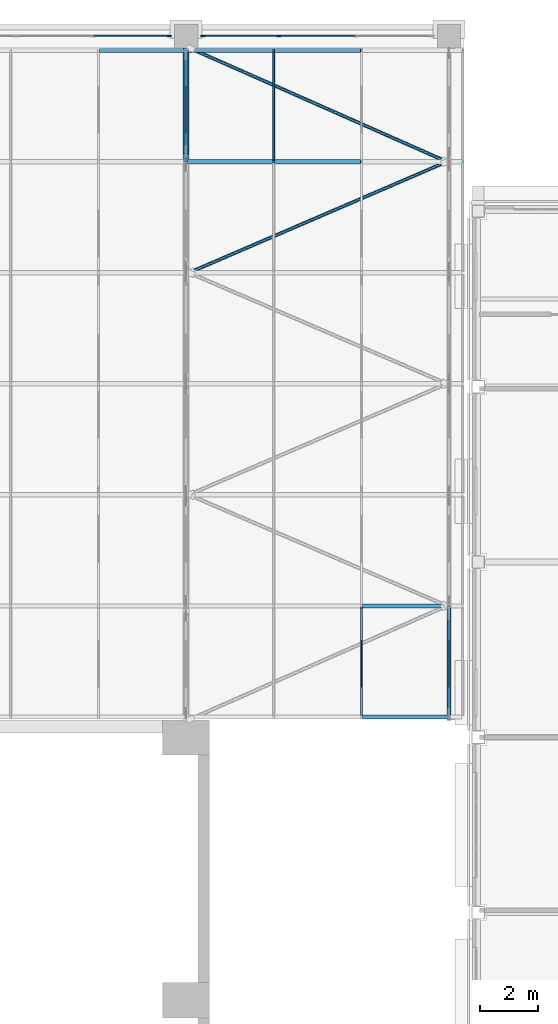
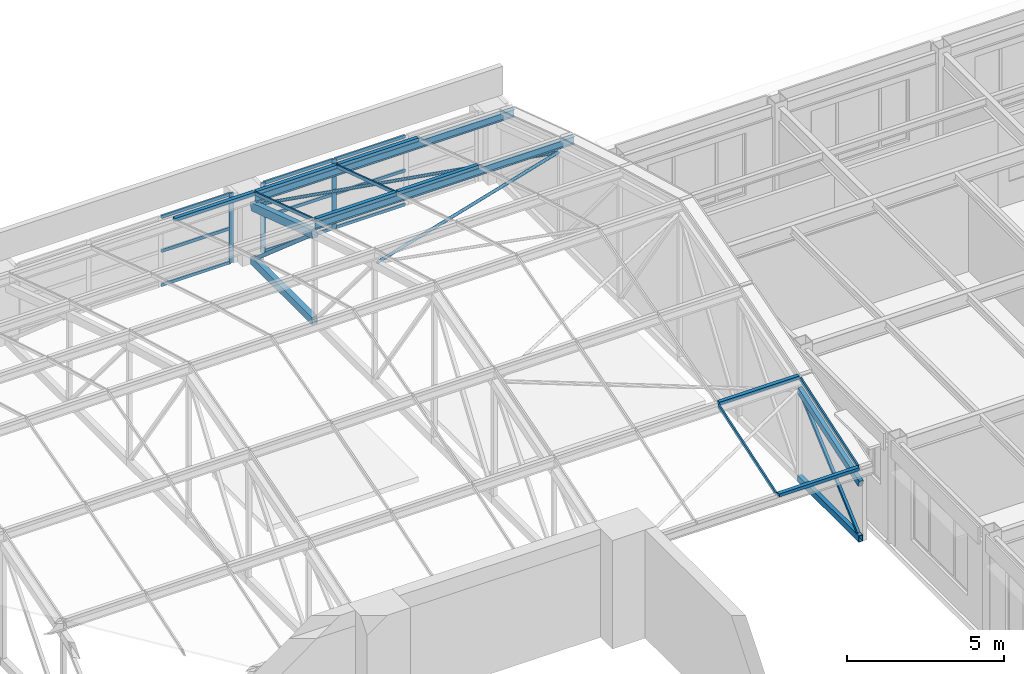
# One storey, part 39 of 82: 33 members, 3 elements without a shape of their own.
"""IFC4 building model written with IfcOpenShell, lengths in metres."""

from ifc_helpers import new_model, si_unit, direction, frame, origin, origin_2d, place, context, subcontext, project, spatial, rectangle, hollow_rectangle, hollow_circle, i_section, extrude, material, material_profile, profile_set, type_object, element, aggregate, save


model = new_model("IFC4")

# Units and contexts
model_context = context("Model", 3, precision=1e-05, world=origin(), true_north=direction((0.0, 1.0)))
body_context = subcontext(model_context, "Body", "Model", "MODEL_VIEW")
ifc_project = project(units=[si_unit("LENGTHUNIT", "METRE"), si_unit("AREAUNIT", "SQUARE_METRE"), si_unit("VOLUMEUNIT", "CUBIC_METRE"), si_unit("PLANEANGLEUNIT", "RADIAN"), si_unit("MASSUNIT", "GRAM", prefix="KILO")], contexts=[model_context])

# Site, building, storey
site_placement = place(None, origin())
site = spatial("IfcSite", under=ifc_project, at=site_placement, CompositionType="ELEMENT")
building_placement = place(site_placement, origin())
building = spatial("IfcBuilding", under=site, at=building_placement, Name="Aravalli Gate Trade Fair Centre", CompositionType="ELEMENT")
storey_placement = place(building_placement, frame((0.0, 0.0, 19.199951171875)))
storey = spatial("IfcBuildingStorey", under=building, at=storey_placement, Name="L04", CompositionType="ELEMENT", Elevation=19.199951171875)

# Members
ifc_material_1 = material(Name="Steel E350", Category="steel")
ifc_material_profile_1 = material_profile(ifc_material_1, hollow_circle(Radius=0.05712890625, WallThickness=0.00439453125, at=origin_2d()), Name="CHS 114.3x4.5")
ifc_profile_set_1 = profile_set([ifc_material_profile_1], Name="Steel E350")
member_type_1 = type_object("IfcMemberType", Name="CHS 114.3x4.5 roof plan brace", PredefinedType="BRACE", material=ifc_profile_set_1)
member_1_placement = place(storey_placement, frame((150.10009765625, 124.89990234375, 4.67333984375), z_axis=(0.912249841445, 0.392817350875, -0.11616693004), x_axis=(-0.39549496899, 0.91846814289, 0.0)))
element("IfcMember", 1, at=member_1_placement, inside=storey, type_object=member_type_1, Name="Vault plan brace 18.5", PredefinedType="BRACE", context=body_context, shape_type="SweptSolid", body=[
    extrude(hollow_circle(Radius=0.05712890625, WallThickness=0.00439453125, at=origin_2d()), origin(), (0.0, 0.0, 1.0), 9.673828125),
])
member_2_placement = place(storey_placement, frame((150.10009765625, 132.60009765625, 2.2392578125), z_axis=(0.90635347144, -0.400558738104, 0.134447321046), x_axis=(0.404228835804, 0.914657885936, 0.0)))
element("IfcMember", 2, at=member_2_placement, inside=storey, type_object=member_type_1, Name="Vault plan brace 18.6", PredefinedType="BRACE", context=body_context, shape_type="SweptSolid", body=[
    extrude(hollow_circle(Radius=0.05712890625, WallThickness=0.00439453125, at=origin_2d()), origin(), (0.0, 0.0, 1.0), 9.73681640625),
])

# Curtain wall, member
ifc_material_2 = material(Name="Aluminium and glass", Category="aluminium")
curtain_wall_type_1 = type_object("IfcCurtainWallType", Name="Curtain wall 3000 module", PredefinedType="NOTDEFINED", material=ifc_material_2)
curtain_wall_1_placement = place(storey_placement, origin())
curtain_wall_1 = element("IfcCurtainWall", 3, at=curtain_wall_1_placement, inside=storey, type_object=curtain_wall_type_1, Name="Curtain wall north bay 17 L04", PredefinedType="NOTDEFINED")
ifc_material_3 = material(Name="Aluminium", Category="aluminium")
ifc_material_profile_2 = material_profile(ifc_material_3, rectangle(XDim=0.06005859375, YDim=0.159912109375, at=origin_2d()), Name="Concourse curtain wall mullion 60 x 160")
ifc_profile_set_2 = profile_set([ifc_material_profile_2], Name="Aluminium")
member_type_2 = type_object("IfcMemberType", Name="Concourse curtain wall mullion 60 x 160", PredefinedType="MULLION", material=ifc_profile_set_2)
member_3_placement = place(storey_placement, frame((149.419921875, 133.0, 0.0), z_axis=(0.0, 0.0, 1.0), x_axis=(0.0, 1.0, 0.0)))
member_3 = element("IfcMember", 4, at=member_3_placement, type_object=member_type_2, Name="CW1 mullion 4", PredefinedType="MULLION", context=body_context, shape_type="SweptSolid", body=[
    extrude(rectangle(XDim=0.06005859375, YDim=0.159912109375, at=origin_2d()), origin(), (0.0, 0.0, 1.0), 2.699951171875),
])

# Curtain wall, members
curtain_wall_2_placement = place(storey_placement, origin())
curtain_wall_2 = element("IfcCurtainWall", 5, at=curtain_wall_2_placement, inside=storey, type_object=curtain_wall_type_1, Name="Curtain wall north bay 18 L04", PredefinedType="NOTDEFINED")
member_4_placement = place(storey_placement, frame((150.580078125, 133.0, 0.0), z_axis=(0.0, 0.0, 1.0), x_axis=(0.0, 1.0, 0.0)))
member_4 = element("IfcMember", 6, at=member_4_placement, type_object=member_type_2, Name="CW1 mullion 1", PredefinedType="MULLION", context=body_context, shape_type="SweptSolid", body=[
    extrude(rectangle(XDim=0.06005859375, YDim=0.159912109375, at=origin_2d()), origin(), (0.0, 0.0, 1.0), 2.699951171875),
])
member_5_placement = place(storey_placement, frame((153.183349609375, 133.0, 0.0), z_axis=(0.0, 0.0, 1.0), x_axis=(0.0, 1.0, 0.0)))
member_5 = element("IfcMember", 7, at=member_5_placement, type_object=member_type_2, Name="CW1 mullion 2", PredefinedType="MULLION", context=body_context, shape_type="SweptSolid", body=[
    extrude(rectangle(XDim=0.06005859375, YDim=0.159912109375, at=origin_2d()), origin(), (0.0, 0.0, 1.0), 2.699951171875),
])

# Member
ifc_material_profile_3 = material_profile(ifc_material_3, rectangle(XDim=0.06005859375, YDim=0.1201171875, at=origin_2d()), Name="Concourse curtain wall transom 60 x 120")
ifc_profile_set_3 = profile_set([ifc_material_profile_3], Name="Aluminium")
member_type_3 = type_object("IfcMemberType", Name="Concourse curtain wall transom 60 x 120", PredefinedType="USERDEFINED", material=ifc_profile_set_3)
member_6_placement = place(storey_placement, frame((146.8466796875, 133.0, 0.030029296875), z_axis=(1.0, 0.0, 0.0), x_axis=(0.0, 1.0, 0.0)))
member_6 = element("IfcMember", 8, at=member_6_placement, type_object=member_type_3, Name="CW1 transom 3.1", ObjectType="TRANSOM", PredefinedType="USERDEFINED", context=body_context, shape_type="SweptSolid", body=[
    extrude(rectangle(XDim=0.06005859375, YDim=0.1201171875, at=origin_2d()), origin(), (0.0, 0.0, 1.0), 2.543212890625),
])

member_7_placement = place(storey_placement, frame((146.8466796875, 133.0, 1.35009765625), z_axis=(1.0, 0.0, 0.0), x_axis=(0.0, 1.0, 0.0)))
member_7 = element("IfcMember", 9, at=member_7_placement, type_object=member_type_3, Name="CW1 transom 3.2", ObjectType="TRANSOM", PredefinedType="USERDEFINED", context=body_context, shape_type="SweptSolid", body=[
    extrude(rectangle(XDim=0.06005859375, YDim=0.1201171875, at=origin_2d()), origin(), (0.0, 0.0, 1.0), 2.543212890625),
])

member_8_placement = place(storey_placement, frame((146.8466796875, 133.0, 2.670166015625), z_axis=(1.0, 0.0, 0.0), x_axis=(0.0, 1.0, 0.0)))
member_8 = element("IfcMember", 10, at=member_8_placement, type_object=member_type_3, Name="CW1 transom 3.3", ObjectType="TRANSOM", PredefinedType="USERDEFINED", context=body_context, shape_type="SweptSolid", body=[
    extrude(rectangle(XDim=0.06005859375, YDim=0.1201171875, at=origin_2d()), origin(), (0.0, 0.0, 1.0), 2.543212890625),
])

aggregate(curtain_wall_1, [member_3, member_6, member_7, member_8])

member_9_placement = place(storey_placement, frame((150.610107421875, 133.0, 0.030029296875), z_axis=(1.0, 0.0, 0.0), x_axis=(0.0, 1.0, 0.0)))
member_9 = element("IfcMember", 11, at=member_9_placement, type_object=member_type_3, Name="CW1 transom 1.1", ObjectType="TRANSOM", PredefinedType="USERDEFINED", context=body_context, shape_type="SweptSolid", body=[
    extrude(rectangle(XDim=0.06005859375, YDim=0.1201171875, at=origin_2d()), origin(), (0.0, 0.0, 1.0), 2.543212890625),
])

member_10_placement = place(storey_placement, frame((150.610107421875, 133.0, 1.35009765625), z_axis=(1.0, 0.0, 0.0), x_axis=(0.0, 1.0, 0.0)))
member_10 = element("IfcMember", 12, at=member_10_placement, type_object=member_type_3, Name="CW1 transom 1.2", ObjectType="TRANSOM", PredefinedType="USERDEFINED", context=body_context, shape_type="SweptSolid", body=[
    extrude(rectangle(XDim=0.06005859375, YDim=0.1201171875, at=origin_2d()), origin(), (0.0, 0.0, 1.0), 2.543212890625),
])

member_11_placement = place(storey_placement, frame((150.610107421875, 133.0, 2.670166015625), z_axis=(1.0, 0.0, 0.0), x_axis=(0.0, 1.0, 0.0)))
member_11 = element("IfcMember", 13, at=member_11_placement, type_object=member_type_3, Name="CW1 transom 1.3", ObjectType="TRANSOM", PredefinedType="USERDEFINED", context=body_context, shape_type="SweptSolid", body=[
    extrude(rectangle(XDim=0.06005859375, YDim=0.1201171875, at=origin_2d()), origin(), (0.0, 0.0, 1.0), 2.543212890625),
])

member_12_placement = place(storey_placement, frame((153.21337890625, 133.0, 0.030029296875), z_axis=(1.0, 0.0, 0.0), x_axis=(0.0, 1.0, 0.0)))
member_12 = element("IfcMember", 14, at=member_12_placement, type_object=member_type_3, Name="CW1 transom 2.1", ObjectType="TRANSOM", PredefinedType="USERDEFINED", context=body_context, shape_type="SweptSolid", body=[
    extrude(rectangle(XDim=0.06005859375, YDim=0.1201171875, at=origin_2d()), origin(), (0.0, 0.0, 1.0), 2.5732421875),
])

member_13_placement = place(storey_placement, frame((153.21337890625, 133.0, 1.35009765625), z_axis=(1.0, 0.0, 0.0), x_axis=(0.0, 1.0, 0.0)))
member_13 = element("IfcMember", 15, at=member_13_placement, type_object=member_type_3, Name="CW1 transom 2.2", ObjectType="TRANSOM", PredefinedType="USERDEFINED", context=body_context, shape_type="SweptSolid", body=[
    extrude(rectangle(XDim=0.06005859375, YDim=0.1201171875, at=origin_2d()), origin(), (0.0, 0.0, 1.0), 2.5732421875),
])

member_14_placement = place(storey_placement, frame((153.21337890625, 133.0, 2.670166015625), z_axis=(1.0, 0.0, 0.0), x_axis=(0.0, 1.0, 0.0)))
member_14 = element("IfcMember", 16, at=member_14_placement, type_object=member_type_3, Name="CW1 transom 2.3", ObjectType="TRANSOM", PredefinedType="USERDEFINED", context=body_context, shape_type="SweptSolid", body=[
    extrude(rectangle(XDim=0.06005859375, YDim=0.1201171875, at=origin_2d()), origin(), (0.0, 0.0, 1.0), 2.5732421875),
])

aggregate(curtain_wall_2, [member_4, member_5, member_9, member_10, member_11, member_12, member_13, member_14])

# Members
ifc_material_profile_4 = material_profile(ifc_material_1, i_section(OverallWidth=0.139892578125, OverallDepth=0.300048828125, WebThickness=0.0078125, FlangeThickness=0.01318359375, at=origin_2d()), Name="ISMB 300")
ifc_profile_set_4 = profile_set([ifc_material_profile_4], Name="Steel E350")
member_type_4 = type_object("IfcMemberType", Name="ISMB 300 roof purlin", PredefinedType="PURLIN", material=ifc_profile_set_4)
for number, where, z_axis, x_axis, name in (
    (17, (150.0, 128.699951171875, 3.851318359375), (1.0, 0.0, 0.0), (0.0, 1.0, 0.0), "Vault purlin 17-E F5"),
    (18, (150.0, 132.5, 2.60302734375), (1.0, 0.0, 0.0), (0.0, 1.0, 0.0), "Vault purlin 17-E F6"),
):
    element("IfcMember", number, at=place(storey_placement, frame(where, z_axis=z_axis, x_axis=x_axis)), inside=storey, type_object=member_type_4, Name=name, PredefinedType="PURLIN", context=body_context, shape_type="SweptSolid", body=[
        extrude(i_section(OverallWidth=0.139892578125, OverallDepth=0.300048828125, WebThickness=0.0078125, FlangeThickness=0.01318359375, at=origin_2d()), origin(), (0.0, 0.0, 1.0), 9.5),
    ])
ifc_material_profile_5 = material_profile(ifc_material_1, hollow_rectangle(XDim=0.14990234375, YDim=0.25, WallThickness=0.010009765625, at=origin_2d()), Name="RHS 250x150x10")
ifc_profile_set_5 = profile_set([ifc_material_profile_5], Name="Steel E350")
member_type_5 = type_object("IfcMemberType", Name="RHS 250x150x10 CT2 truss chord", PredefinedType="CHORD", material=ifc_profile_set_5)
member_15_placement = place(storey_placement, frame((159.0, 109.60009765625, 2.265625), z_axis=(0.0, 0.949936473318, 0.312443109479), x_axis=(-1.0, 0.0, 0.0)))
element("IfcMember", 19, at=member_15_placement, inside=storey, type_object=member_type_5, Name="Concourse vault truss CT2 line E top chord T1", PredefinedType="CHORD", context=body_context, shape_type="SweptSolid", body=[
    extrude(hollow_rectangle(XDim=0.14990234375, YDim=0.25, WallThickness=0.010009765625, at=origin_2d()), origin(), (0.0, 0.0, 1.0), 4.10546875),
])
member_16_placement = place(storey_placement, frame((159.0, 109.60009765625, 0.125), z_axis=(0.0, 1.0, 0.0), x_axis=(-1.0, 0.0, 0.0)))
element("IfcMember", 20, at=member_16_placement, inside=storey, type_object=member_type_5, Name="Concourse vault truss CT2 line E bottom chord B1", PredefinedType="CHORD", context=body_context, shape_type="SweptSolid", body=[
    extrude(hollow_rectangle(XDim=0.14990234375, YDim=0.25, WallThickness=0.010009765625, at=origin_2d()), origin(), (0.0, 0.0, 1.0), 3.89990234375),
])
ifc_material_profile_6 = material_profile(ifc_material_1, hollow_rectangle(XDim=0.199951171875, YDim=0.300048828125, WallThickness=0.011962890625, at=origin_2d()), Name="RHS 300x200x12")
ifc_profile_set_6 = profile_set([ifc_material_profile_6], Name="Steel E350")
member_type_6 = type_object("IfcMemberType", Name="RHS 300x200x12 CT1 truss chord", PredefinedType="CHORD", material=ifc_profile_set_6)
member_17_placement = place(storey_placement, frame((150.0, 128.699951171875, 3.522216796875), z_axis=(0.0, 0.949924628731, -0.312479118872), x_axis=(-1.0, 0.0, 0.0)))
element("IfcMember", 21, at=member_17_placement, inside=storey, type_object=member_type_6, Name="Concourse vault truss CT1 line 17 top chord T6", PredefinedType="CHORD", context=body_context, shape_type="SweptSolid", body=[
    extrude(hollow_rectangle(XDim=0.199951171875, YDim=0.300048828125, WallThickness=0.011962890625, at=origin_2d()), origin(), (0.0, 0.0, 1.0), 4.105712890625),
])
member_18_placement = place(storey_placement, frame((150.0, 128.699951171875, 0.150146484375), z_axis=(0.0, 1.0, 0.0), x_axis=(-1.0, 0.0, 0.0)))
element("IfcMember", 22, at=member_18_placement, inside=storey, type_object=member_type_6, Name="Concourse vault truss CT1 line 17 bottom chord B6", PredefinedType="CHORD", context=body_context, shape_type="SweptSolid", body=[
    extrude(hollow_rectangle(XDim=0.199951171875, YDim=0.300048828125, WallThickness=0.011962890625, at=origin_2d()), origin(), (0.0, 0.0, 1.0), 3.900146484375),
])
ifc_material_profile_7 = material_profile(ifc_material_1, hollow_rectangle(XDim=0.10009765625, YDim=0.10009765625, WallThickness=0.006103515625, at=origin_2d()), Name="SHS 100x100x6")
ifc_profile_set_7 = profile_set([ifc_material_profile_7], Name="Steel E350")
member_type_7 = type_object("IfcMemberType", Name="SHS 100x100x6 CT2 truss diagonal", PredefinedType="BRACE", material=ifc_profile_set_7)
member_19_placement = place(storey_placement, frame((159.0, 109.742431640625, 0.25), z_axis=(0.0, 0.751512751569, 0.659718564411), x_axis=(-1.0, 0.0, 0.0)))
element("IfcMember", 23, at=member_19_placement, inside=storey, type_object=member_type_7, Name="Concourse vault truss CT2 line E diagonal D1", PredefinedType="BRACE", context=body_context, shape_type="SweptSolid", body=[
    extrude(hollow_rectangle(XDim=0.10009765625, YDim=0.10009765625, WallThickness=0.006103515625, at=origin_2d()), origin(), (0.0, 0.0, 1.0), 4.680908203125),
])
ifc_material_profile_8 = material_profile(ifc_material_1, hollow_rectangle(XDim=0.125, YDim=0.125, WallThickness=0.006103515625, at=origin_2d()), Name="SHS 125x125x6")
ifc_profile_set_8 = profile_set([ifc_material_profile_8], Name="Steel E350")
member_type_8 = type_object("IfcMemberType", Name="SHS 125x125x6 CT1 truss diagonal", PredefinedType="BRACE", material=ifc_profile_set_8)
member_20_placement = place(storey_placement, frame((150.0, 128.994873046875, 3.267333984375), z_axis=(0.0, 0.756430814482, -0.654073713661), x_axis=(-1.0, 0.0, 0.0)))
element("IfcMember", 24, at=member_20_placement, inside=storey, type_object=member_type_8, Name="Concourse vault truss CT1 line 17 diagonal D6", PredefinedType="BRACE", context=body_context, shape_type="SweptSolid", body=[
    extrude(hollow_rectangle(XDim=0.125, YDim=0.125, WallThickness=0.006103515625, at=origin_2d()), origin(), (0.0, 0.0, 1.0), 4.53662109375),
])
ifc_material_profile_9 = material_profile(ifc_material_3, rectangle(XDim=0.139892578125, YDim=0.1201171875, at=origin_2d()), Name="Vault fold cap 140 x 120")
ifc_profile_set_9 = profile_set([ifc_material_profile_9], Name="Aluminium")
member_type_9 = type_object("IfcMemberType", Name="Vault fold cap 140 x 120", PredefinedType="USERDEFINED", material=ifc_profile_set_9)
for number, where, z_axis, x_axis, name in (
    (25, (147.030029296875, 132.5, 2.81298828125), (1.0, 0.0, 0.0), (0.0, 1.0, 0.0), "Vault fold cap e16.6"),
    (26, (150.030029296875, 128.699951171875, 4.061279296875), (1.0, 0.0, 0.0), (0.0, 1.0, 0.0), "Vault fold cap e17.5"),
    (27, (150.030029296875, 132.5, 2.81298828125), (1.0, 0.0, 0.0), (0.0, 1.0, 0.0), "Vault fold cap e17.6"),
    (28, (153.030029296875, 128.699951171875, 4.061279296875), (1.0, 0.0, 0.0), (0.0, 1.0, 0.0), "Vault fold cap e18.5"),
    (29, (153.030029296875, 132.5, 2.81298828125), (1.0, 0.0, 0.0), (0.0, 1.0, 0.0), "Vault fold cap e18.6"),
    (30, (156.030029296875, 109.699951171875, 2.81298828125), (1.0, 0.0, 0.0), (0.0, 1.0, 0.0), "Vault fold cap e19.0"),
    (31, (156.030029296875, 113.5, 4.061279296875), (1.0, 0.0, 0.0), (0.0, 1.0, 0.0), "Vault fold cap e19.1"),
):
    element("IfcMember", number, at=place(storey_placement, frame(where, z_axis=z_axis, x_axis=x_axis)), inside=storey, type_object=member_type_9, Name=name, ObjectType="FOLD CAP", PredefinedType="USERDEFINED", context=body_context, shape_type="SweptSolid", body=[
        extrude(rectangle(XDim=0.139892578125, YDim=0.1201171875, at=origin_2d()), origin(), (0.0, 0.0, 1.0), 2.93994140625),
    ])

# Curtain wall, members
curtain_wall_type_2 = type_object("IfcCurtainWallType", Name="Vault curtain wall, sloped glazing", PredefinedType="NOTDEFINED", material=ifc_material_2)
curtain_wall_3_placement = place(storey_placement, origin())
curtain_wall_3 = element("IfcCurtainWall", 32, at=curtain_wall_3_placement, inside=storey, type_object=curtain_wall_type_2, Name="Vault curtain wall e", PredefinedType="NOTDEFINED")
ifc_material_profile_10 = material_profile(ifc_material_3, rectangle(XDim=0.06005859375, YDim=0.1201171875, at=origin_2d()), Name="Vault glazing bar 60 x 120")
ifc_profile_set_10 = profile_set([ifc_material_profile_10], Name="Aluminium")
member_type_10 = type_object("IfcMemberType", Name="Vault glazing bar 60 x 120", PredefinedType="USERDEFINED", material=ifc_profile_set_10)
member_21_placement = place(storey_placement, frame((150.0, 128.77001953125, 4.013916015625), z_axis=(0.0, 0.949930492103, -0.31246129388), x_axis=(-1.0, 0.0, 0.0)))
member_21 = element("IfcMember", 33, at=member_21_placement, type_object=member_type_10, Name="Vault glazing bar e17.6", ObjectType="GLAZING BAR", PredefinedType="USERDEFINED", context=body_context, shape_type="SweptSolid", body=[
    extrude(rectangle(XDim=0.06005859375, YDim=0.1201171875, at=origin_2d()), origin(), (0.0, 0.0, 1.0), 3.852783203125),
])
member_22_placement = place(storey_placement, frame((153.0, 128.77001953125, 4.013916015625), z_axis=(0.0, 0.949930492103, -0.31246129388), x_axis=(-1.0, 0.0, 0.0)))
member_22 = element("IfcMember", 34, at=member_22_placement, type_object=member_type_10, Name="Vault glazing bar e18.6", ObjectType="GLAZING BAR", PredefinedType="USERDEFINED", context=body_context, shape_type="SweptSolid", body=[
    extrude(rectangle(XDim=0.06005859375, YDim=0.1201171875, at=origin_2d()), origin(), (0.0, 0.0, 1.0), 3.852783203125),
])
member_23_placement = place(storey_placement, frame((156.0, 109.77001953125, 2.81005859375), z_axis=(0.0, 0.949930492103, 0.31246129388), x_axis=(-1.0, 0.0, 0.0)))
member_23 = element("IfcMember", 35, at=member_23_placement, type_object=member_type_10, Name="Vault glazing bar e19.1", ObjectType="GLAZING BAR", PredefinedType="USERDEFINED", context=body_context, shape_type="SweptSolid", body=[
    extrude(rectangle(XDim=0.06005859375, YDim=0.1201171875, at=origin_2d()), origin(), (0.0, 0.0, 1.0), 3.852783203125),
])
member_24_placement = place(storey_placement, frame((159.0, 109.77001953125, 2.81005859375), z_axis=(0.0, 0.949930492103, 0.31246129388), x_axis=(-1.0, 0.0, 0.0)))
member_24 = element("IfcMember", 36, at=member_24_placement, type_object=member_type_10, Name="Vault glazing bar e20.1", ObjectType="GLAZING BAR", PredefinedType="USERDEFINED", context=body_context, shape_type="SweptSolid", body=[
    extrude(rectangle(XDim=0.06005859375, YDim=0.1201171875, at=origin_2d()), origin(), (0.0, 0.0, 1.0), 3.852783203125),
])
aggregate(curtain_wall_3, [member_21, member_22, member_23, member_24])

save(model, "model.ifc")
